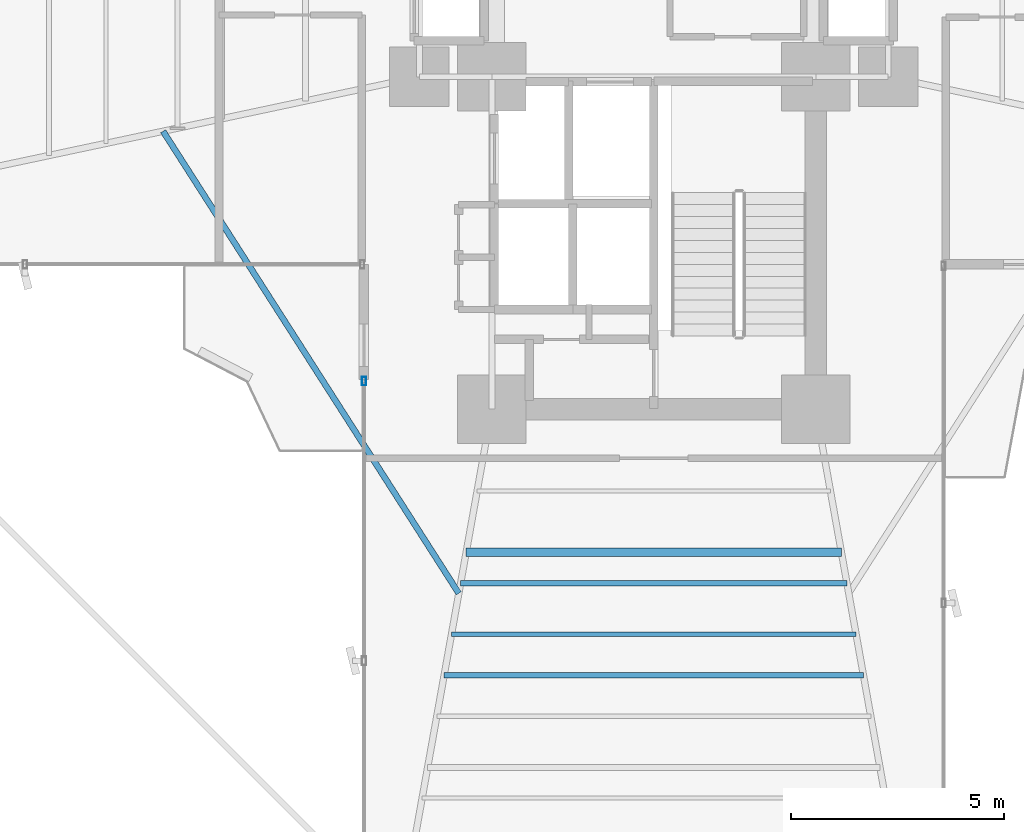
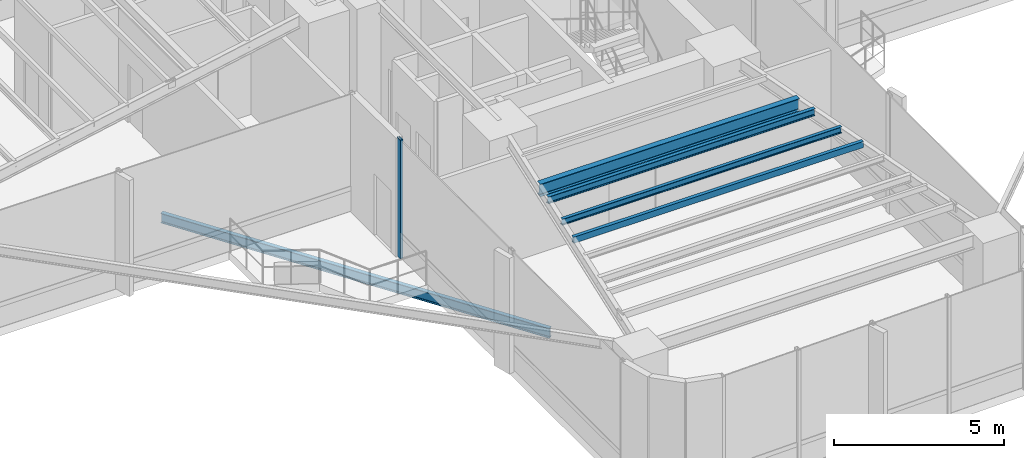
# One storey, part 3 of 20: 5 beams, 1 member, 1 element without a shape of its own.
"""IFC4 building model written with IfcOpenShell, lengths in metres."""

from ifc_helpers import new_model, si_unit, direction, frame, origin, origin_2d, place, context, subcontext, project, spatial, hollow_rectangle, i_section, extrude, source, transform, mapped, material, material_profile, profile_set, type_object, element, aggregate, save


model = new_model("IFC4")

# Units and contexts
model_context = context("Model", 3, precision=1e-05, world=origin(), true_north=direction((0.0, 1.0)))
body_context = subcontext(model_context, "Body", "Model", "MODEL_VIEW")
ifc_project = project(units=[si_unit("LENGTHUNIT", "METRE"), si_unit("AREAUNIT", "SQUARE_METRE"), si_unit("VOLUMEUNIT", "CUBIC_METRE"), si_unit("PLANEANGLEUNIT", "RADIAN"), si_unit("MASSUNIT", "GRAM", prefix="KILO")], contexts=[model_context])

# Site, building, storey
site_placement = place(None, origin())
site = spatial("IfcSite", under=ifc_project, at=site_placement, CompositionType="ELEMENT")
building_placement = place(site_placement, origin())
building = spatial("IfcBuilding", under=site, at=building_placement, Name="Sahyath Konkavel Grand Hotel", CompositionType="ELEMENT")
storey_placement = place(building_placement, frame((0.0, 0.0, 46.550048828125)))
storey = spatial("IfcBuildingStorey", under=building, at=storey_placement, Name="L12", CompositionType="ELEMENT", Elevation=46.550048828125)

# Beams
ifc_material_1 = material(Name="Steel E350", Category="steel")
ifc_material_profile_1 = material_profile(ifc_material_1, i_section(OverallWidth=0.199951171875, OverallDepth=0.449951171875, WebThickness=0.00927734375, FlangeThickness=0.015380859375, FilletRadius=0.01611328125, at=origin_2d()), Name="ISWB 450")
ifc_profile_set_1 = profile_set([ifc_material_profile_1], Name="Steel E350")
beam_type_1 = type_object("IfcBeamType", Name="BM-ISWB450", PredefinedType="BEAM", material=ifc_profile_set_1)
shared_shape_1 = source(origin(), body_context, "Body", "SweptSolid", [
    extrude(i_section(OverallWidth=0.199951171875, OverallDepth=0.449951171875, WebThickness=0.00927734375, FlangeThickness=0.015380859375, FilletRadius=0.01611328125, at=origin_2d()), origin(), (0.0, 0.0, 1.0), 8.80419921875),
])
beam_1_placement = place(storey_placement, frame((-4.402099609375, -13.56005859375, 4.034912109375), z_axis=(1.0, 0.0, 0.0), x_axis=(0.0, 1.0, 0.0)))
element("IfcBeam", 1, at=beam_1_placement, inside=storey, type_object=beam_type_1, Name="L12 Secondary Floor Beam S-1", PredefinedType="BEAM", context=body_context, shape_type="MappedRepresentation", body=[
    mapped(shared_shape_1, transform((0.0, 0.0, 0.0), scale=1.0)),
])
ifc_material_profile_2 = material_profile(ifc_material_1, hollow_rectangle(XDim=0.1201171875, YDim=0.219970703125, WallThickness=0.010009765625, at=origin_2d()), Name="RHS 220x120x10")
ifc_profile_set_2 = profile_set([ifc_material_profile_2], Name="Steel E350")
beam_type_2 = type_object("IfcBeamType", Name="BM-RHS220", PredefinedType="BEAM", material=ifc_profile_set_2)
shared_shape_2 = source(origin(), body_context, "Body", "SweptSolid", [
    extrude(hollow_rectangle(XDim=0.1201171875, YDim=0.219970703125, WallThickness=0.010009765625, at=origin_2d()), origin(), (0.0, 0.0, 1.0), 9.8359375),
])
beam_2_placement = place(storey_placement, frame((-4.91796875, -16.43994140625, 4.14990234375), z_axis=(1.0, 0.0, 0.0), x_axis=(0.0, 1.0, 0.0)))
element("IfcBeam", 2, at=beam_2_placement, inside=storey, type_object=beam_type_2, Name="L12 Secondary Floor Beam S-2", PredefinedType="BEAM", context=body_context, shape_type="MappedRepresentation", body=[
    mapped(shared_shape_2, transform((0.0, 0.0, 0.0), scale=1.0)),
])
ifc_material_profile_3 = material_profile(ifc_material_1, i_section(OverallWidth=0.125, OverallDepth=0.25, WebThickness=0.0068359375, FlangeThickness=0.012451171875, FilletRadius=0.012939453125, at=origin_2d()), Name="ISMB 250")
ifc_profile_set_3 = profile_set([ifc_material_profile_3], Name="Steel E350")
beam_type_3 = type_object("IfcBeamType", Name="BM-ISMB250", PredefinedType="BEAM", material=ifc_profile_set_3)
shared_shape_3 = source(origin(), body_context, "Body", "SweptSolid", [
    extrude(i_section(OverallWidth=0.125, OverallDepth=0.25, WebThickness=0.0068359375, FlangeThickness=0.012451171875, FilletRadius=0.012939453125, at=origin_2d()), origin(), (0.0, 0.0, 1.0), 9.06201171875),
])
beam_3_placement = place(storey_placement, frame((-4.531005859375, -14.280029296875, 4.135009765625), z_axis=(1.0, 0.0, 0.0), x_axis=(0.0, 1.0, 0.0)))
element("IfcBeam", 3, at=beam_3_placement, inside=storey, type_object=beam_type_3, Name="L12 Composite Deck Sub-Beam S-2", PredefinedType="BEAM", context=body_context, shape_type="MappedRepresentation", body=[
    mapped(shared_shape_3, transform((0.0, 0.0, 0.0), scale=1.0)),
])
ifc_material_profile_4 = material_profile(ifc_material_1, i_section(OverallWidth=0.110107421875, OverallDepth=0.22509765625, WebThickness=0.006591796875, FlangeThickness=0.01171875, FilletRadius=0.011962890625, at=origin_2d()), Name="ISMB 225")
ifc_profile_set_4 = profile_set([ifc_material_profile_4], Name="Steel E350")
beam_type_4 = type_object("IfcBeamType", Name="BM-ISMB225", PredefinedType="BEAM", material=ifc_profile_set_4)
shared_shape_4 = source(origin(), body_context, "Body", "SweptSolid", [
    extrude(i_section(OverallWidth=0.110107421875, OverallDepth=0.22509765625, WebThickness=0.006591796875, FlangeThickness=0.01171875, FilletRadius=0.011962890625, at=origin_2d()), origin(), (0.0, 0.0, 1.0), 9.4921875),
])
beam_4_placement = place(storey_placement, frame((-4.74609375, -15.47998046875, 4.1474609375), z_axis=(1.0, 0.0, 0.0), x_axis=(0.0, 1.0, 0.0)))
element("IfcBeam", 4, at=beam_4_placement, inside=storey, type_object=beam_type_4, Name="L12 Composite Deck Sub-Beam S-3", PredefinedType="BEAM", context=body_context, shape_type="MappedRepresentation", body=[
    mapped(shared_shape_4, transform((0.0, 0.0, 0.0), scale=1.0)),
])

# Curtain wall, member
ifc_material_2 = material(Name="Anodised Bronze Aluminium & Low-E Glazing", Category="aluminium")
curtain_wall_type = type_object("IfcCurtainWallType", Name="CW-SKYLOBBY", PredefinedType="NOTDEFINED", material=ifc_material_2)
curtain_wall_placement = place(storey_placement, origin())
curtain_wall = element("IfcCurtainWall", 5, at=curtain_wall_placement, inside=storey, type_object=curtain_wall_type, Name="L12 Unitised Curtain Wall F24", PredefinedType="NOTDEFINED")
ifc_material_3 = material(Name="Anodised Bronze Aluminium", Category="aluminium")
ifc_material_profile_5 = material_profile(ifc_material_3, hollow_rectangle(XDim=0.10009765625, YDim=0.199951171875, WallThickness=0.008056640625, at=origin_2d()), Name="RHS 200x100x8")
ifc_profile_set_5 = profile_set([ifc_material_profile_5], Name="Anodised Bronze Aluminium")
member_type = type_object("IfcMemberType", Name="CW-MUL-200", PredefinedType="MULLION", material=ifc_profile_set_5)
shared_shape_5 = source(origin(), body_context, "Body", "SweptSolid", [
    extrude(hollow_rectangle(XDim=0.10009765625, YDim=0.199951171875, WallThickness=0.008056640625, at=origin_2d()), origin(), (0.0, 0.0, 1.0), 4.260009765625),
])
member_placement = place(storey_placement, frame((-6.800048828125, -9.5400390625, 0.0), z_axis=(0.0, 0.0, 1.0), x_axis=(1.0, 0.0, 0.0)))
member = element("IfcMember", 6, at=member_placement, type_object=member_type, Name="L12 Curtain Wall Mullion F24-0", PredefinedType="MULLION", context=body_context, shape_type="MappedRepresentation", body=[
    mapped(shared_shape_5, transform((0.0, 0.0, 0.0), scale=1.0)),
])
aggregate(curtain_wall, [member])

# Beam
ifc_material_profile_6 = material_profile(ifc_material_1, i_section(OverallWidth=0.139892578125, OverallDepth=0.35009765625, WebThickness=0.008056640625, FlangeThickness=0.01416015625, FilletRadius=0.013916015625, at=origin_2d()), Name="ISMB 350")
ifc_profile_set_6 = profile_set([ifc_material_profile_6], Name="Steel E350")
beam_type_5 = type_object("IfcBeamType", Name="BM-BALC-CANT", PredefinedType="BEAM", material=ifc_profile_set_6)
shared_shape_6 = source(origin(), body_context, "Body", "SweptSolid", [
    extrude(i_section(OverallWidth=0.139892578125, OverallDepth=0.35009765625, WebThickness=0.008056640625, FlangeThickness=0.01416015625, FilletRadius=0.013916015625, at=origin_2d()), origin(), (0.0, 0.0, 1.0), 12.871826171875),
])
beam_5_placement = place(storey_placement, frame((-11.511962890625, -3.677978515625, -0.47509765625), z_axis=(0.539003102535, -0.842303778608, 0.0), x_axis=(0.842303778608, 0.539003102535, 0.0)))
element("IfcBeam", 7, at=beam_5_placement, inside=storey, type_object=beam_type_5, Name="L12 Balcony Cantilever Support Beam SW", PredefinedType="BEAM", context=body_context, shape_type="MappedRepresentation", body=[
    mapped(shared_shape_6, transform((0.0, 0.0, 0.0), scale=1.0)),
])

save(model, "model.ifc")
